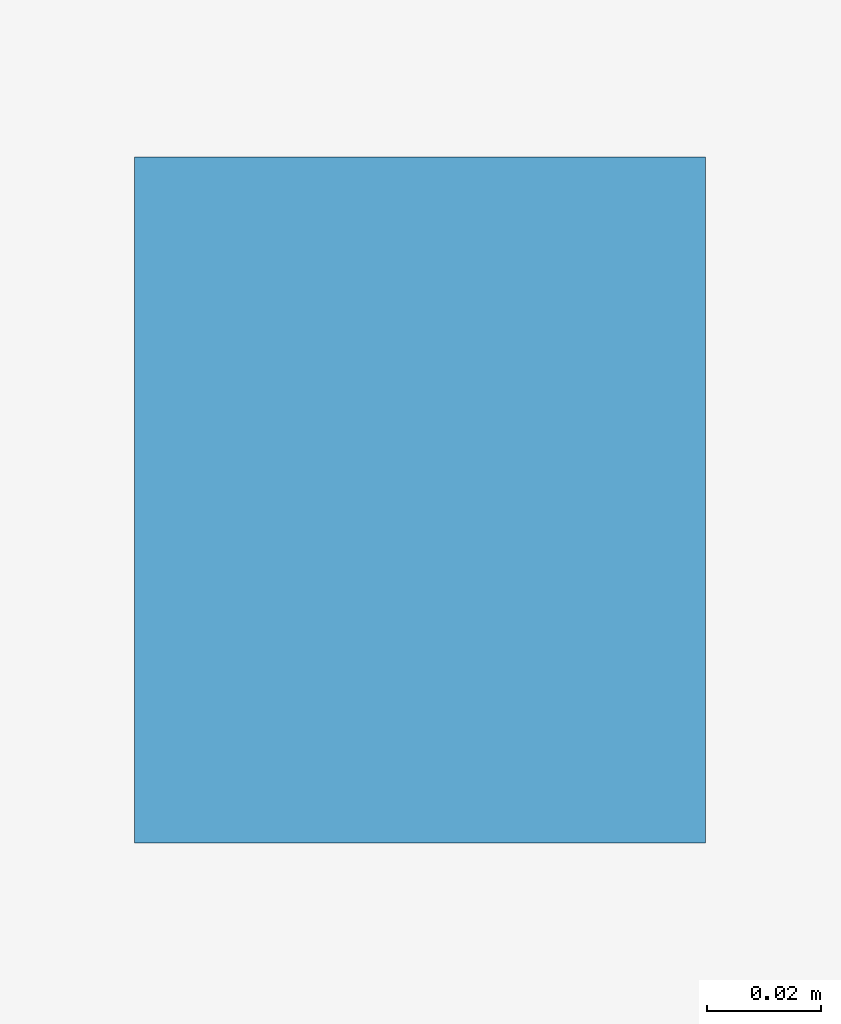
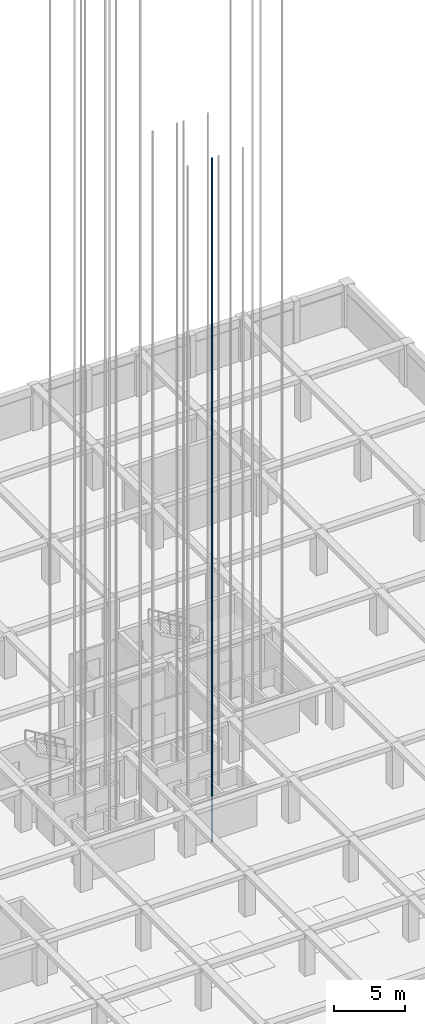
# One storey, part 34 of 47: 1 discrete accessory.
"""IFC4 building model written with IfcOpenShell, lengths in metres."""

from ifc_helpers import new_model, si_unit, direction, frame, origin, origin_2d, place, context, subcontext, project, spatial, rectangle, extrude, material, layer, layer_set, type_object, element, save


model = new_model("IFC4")

# Units and contexts
model_context = context("Model", 3, precision=1e-05, world=origin(), true_north=direction((0.0, 1.0)))
body_context = subcontext(model_context, "Body", "Model", "MODEL_VIEW")
ifc_project = project(units=[si_unit("LENGTHUNIT", "METRE"), si_unit("AREAUNIT", "SQUARE_METRE"), si_unit("VOLUMEUNIT", "CUBIC_METRE"), si_unit("PLANEANGLEUNIT", "RADIAN"), si_unit("MASSUNIT", "GRAM", prefix="KILO")], contexts=[model_context])

# Site, building, storey
site_placement = place(None, origin())
site = spatial("IfcSite", under=ifc_project, at=site_placement, CompositionType="ELEMENT")
building_placement = place(site_placement, origin())
building = spatial("IfcBuilding", under=site, at=building_placement, Name="Almacenes y Pasaje Nevantli", CompositionType="ELEMENT")
storey_placement = place(building_placement, frame((0.0, 0.0, -8.10009765625)))
storey = spatial("IfcBuildingStorey", under=building, at=storey_placement, Name="B02", CompositionType="ELEMENT", Elevation=-8.10009765625)

# Discrete accessory
ifc_material = material(Name="Steel ASTM A36", Category="steel")
ifc_layer = layer(ifc_material, 0.1201171875)
ifc_layer_set = layer_set([ifc_layer], Name="Steel ASTM A36")
discrete_accessory_type = type_object("IfcDiscreteAccessoryType", Name="ACC-LIFT-RAIL", PredefinedType="BRACKET", material=ifc_layer_set)
discrete_accessory_placement = place(storey_placement, frame((129.030029296875, 68.949951171875, -1.199951171875), z_axis=(0.0, 0.0, 1.0), x_axis=(1.0, 0.0, 0.0)))
element("IfcDiscreteAccessory", 1, at=discrete_accessory_placement, inside=storey, type_object=discrete_accessory_type, Name="Elevator Steel T-Section Guide Rail ELV-P01-E", PredefinedType="BRACKET", context=body_context, shape_type="SweptSolid", body=[
    extrude(rectangle(XDim=0.10009765625, YDim=0.1201171875, at=origin_2d()), origin(), (0.0, 0.0, 1.0), 58.5),
])

save(model, "model.ifc")
